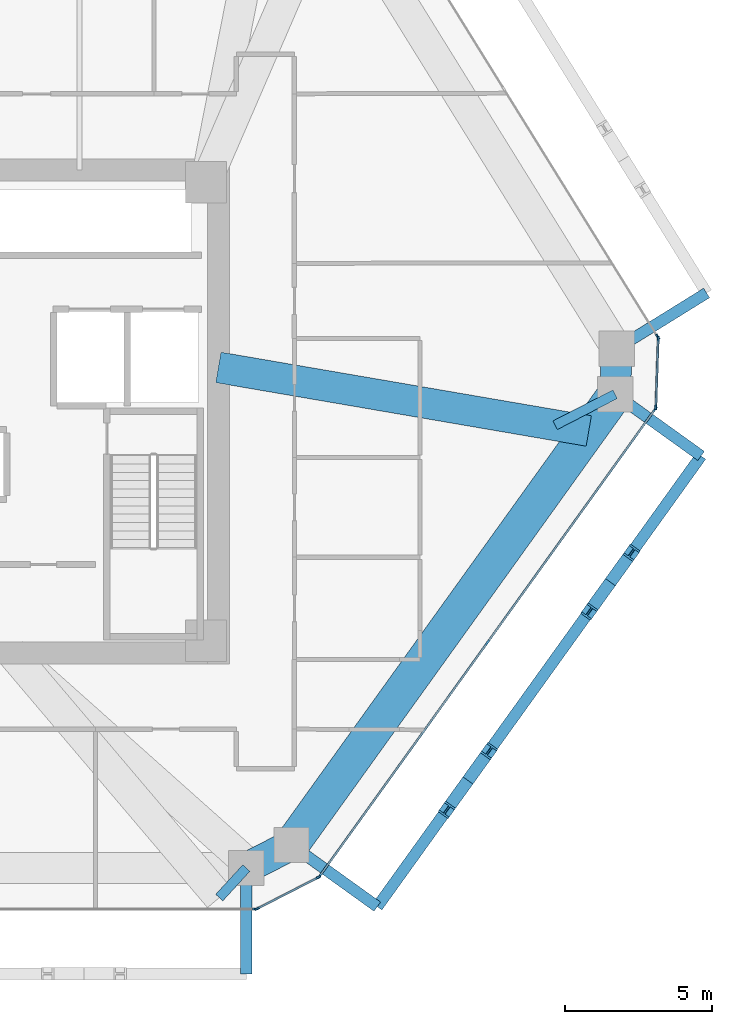
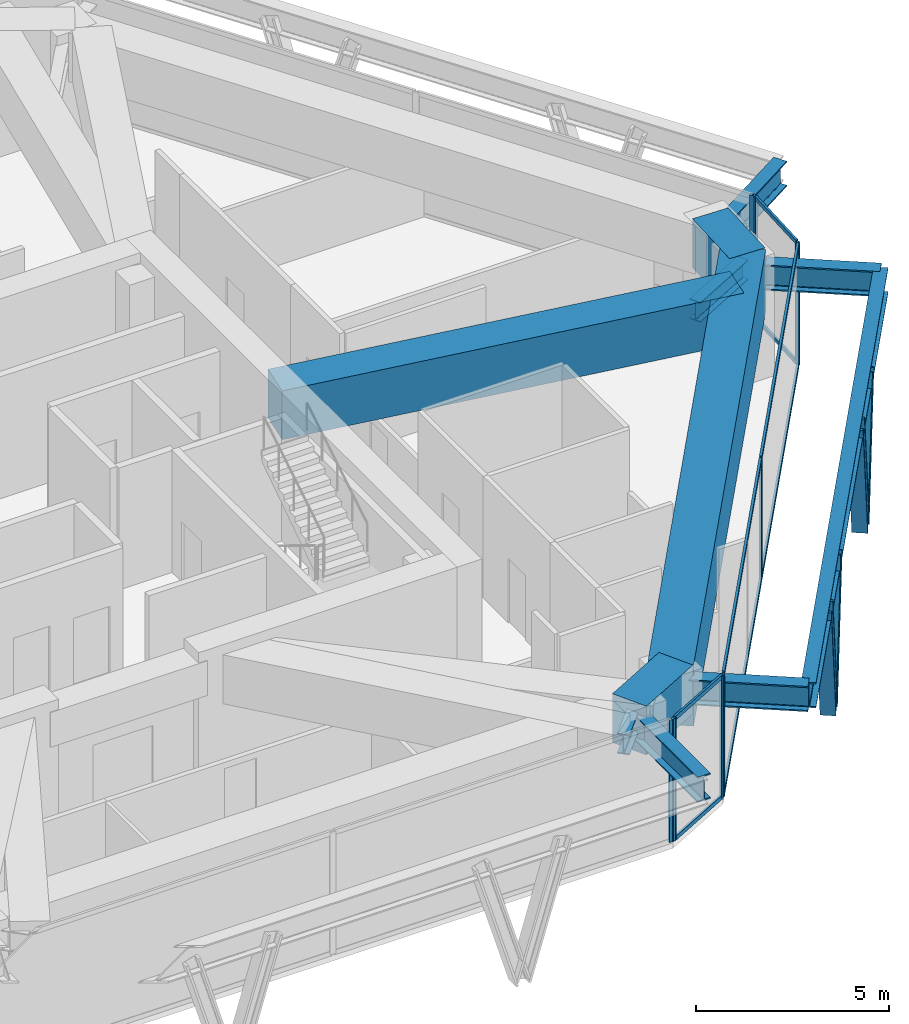
# One storey, part 5 of 14: 21 members, 11 beams, 5 elements without a shape of their own.
"""IFC4 building model written with IfcOpenShell, lengths in metres."""

from ifc_helpers import new_model, si_unit, direction, frame, origin, origin_2d, place, context, subcontext, project, spatial, rectangle, i_section, extrude, source, transform, mapped, material, layer, layer_set, material_profile, profile_set, type_object, type_shapes, element, aggregate, save


model = new_model("IFC4")

# Units and contexts
model_context = context("Model", 3, precision=1e-05, world=origin(), true_north=direction((0.0, 1.0)))
body_context = subcontext(model_context, "Body", "Model", "MODEL_VIEW")
ifc_project = project(units=[si_unit("LENGTHUNIT", "METRE"), si_unit("AREAUNIT", "SQUARE_METRE"), si_unit("VOLUMEUNIT", "CUBIC_METRE"), si_unit("PLANEANGLEUNIT", "RADIAN"), si_unit("MASSUNIT", "GRAM", prefix="KILO")], contexts=[model_context])

# Site, building, storey
site_placement = place(None, origin())
site = spatial("IfcSite", under=ifc_project, at=site_placement, CompositionType="ELEMENT")
building_placement = place(site_placement, origin())
building = spatial("IfcBuilding", under=site, at=building_placement, Name="Durnholm Broadcast Tower", CompositionType="ELEMENT")
storey_placement = place(building_placement, frame((0.0, 0.0, 146.10009765625)))
storey = spatial("IfcBuildingStorey", under=building, at=storey_placement, Name="L40", CompositionType="ELEMENT", Elevation=146.10009765625)

# Beams
ifc_material_1 = material(Name="Steel ASTM A992 Grade 50", Category="steel")
ifc_material_profile_1 = material_profile(ifc_material_1, i_section(OverallWidth=0.385009765625, OverallDepth=0.802978515625, WebThickness=0.023681640625, FlangeThickness=0.0419921875, FilletRadius=0.032958984375, at=origin_2d()), Name="W30X261")
ifc_profile_set_1 = profile_set([ifc_material_profile_1], Name="Steel ASTM A992 Grade 50")
beam_type_1 = type_object("IfcBeamType", Name="BM-EXO-TIE", PredefinedType="USERDEFINED", material=ifc_profile_set_1)
shared_shape_1 = source(origin(), body_context, "Body", "SweptSolid", [
    extrude(i_section(OverallWidth=0.385009765625, OverallDepth=0.802978515625, WebThickness=0.023681640625, FlangeThickness=0.0419921875, FilletRadius=0.032958984375, at=origin_2d()), origin(), (0.0, 0.0, 1.0), 3.4560546875),
])
for number, where, z_axis, x_axis, name in (
    (1, (11.176025390625, -15.680908203125, 3.12841796875), (0.0, -1.0, 0.0), (1.0, 0.0, 0.0), "L40 exoskeleton stand-off tie bracket F1.2"),
    (2, (12.826904296875, -14.834228515625, 3.12841796875), (0.812164951739, -0.583427880005, 0.0), (0.583427880005, 0.812164951739, 0.0), "L40 exoskeleton stand-off tie bracket F2.1"),
    (3, (23.844970703125, 0.5029296875, 3.12841796875), (0.812164951739, -0.583427880005, 0.0), (0.583427880005, 0.812164951739, 0.0), "L40 exoskeleton stand-off tie bracket F2.2"),
    (4, (23.903076171875, 2.21240234375, 3.12841796875), (0.849795112316, 0.527113144481, 0.0), (-0.527113144481, 0.849795112316, 0.0), "L40 exoskeleton stand-off tie bracket F3.1"),
):
    element("IfcBeam", number, at=place(storey_placement, frame(where, z_axis=z_axis, x_axis=x_axis)), inside=storey, type_object=beam_type_1, Name=name, ObjectType="GIRDER", PredefinedType="USERDEFINED", context=body_context, shape_type="MappedRepresentation", body=[
        mapped(shared_shape_1, transform((0.0, 0.0, 0.0), x_axis=(1.0, 0.0, 0.0), y_axis=(0.0, 1.0, 0.0), z_axis=(0.0, 0.0, 1.0), scale=1.0)),
    ])
shared_shape_2 = source(origin(), body_context, "Body", "SweptSolid", [
    extrude(i_section(OverallWidth=0.385009765625, OverallDepth=0.802978515625, WebThickness=0.023681640625, FlangeThickness=0.0419921875, FilletRadius=0.032958984375, at=origin_2d()), origin(), (0.0, 0.0, 1.0), 18.884521484375),
])
type_shapes(beam_type_1, [shared_shape_1, shared_shape_2])
beam_1_placement = place(storey_placement, frame((15.6337890625, -16.8505859375, 3.12841796875), z_axis=(0.583443434414, 0.812153777827, 0.0), x_axis=(-0.812153777827, 0.583443434414, 0.0)))
element("IfcBeam", 5, at=beam_1_placement, inside=storey, type_object=beam_type_1, Name="L40 exoskeleton collector spandrel F2", PredefinedType="SPANDREL", context=body_context, shape_type="MappedRepresentation", body=[
    mapped(shared_shape_2, transform((0.0, 0.0, 0.0), x_axis=(1.0, 0.0, 0.0), y_axis=(0.0, 1.0, 0.0), z_axis=(0.0, 0.0, 1.0), scale=1.0)),
])
ifc_material_2 = material(Name="Concrete C70/85", Category="concrete")
ifc_material_profile_2 = material_profile(ifc_material_2, rectangle(XDim=1.050048828125, YDim=1.550048828125, at=origin_2d()), Name="RC1050X1550")
ifc_profile_set_2 = profile_set([ifc_material_profile_2], Name="Concrete C70/85")
beam_type_2 = type_object("IfcBeamType", Name="BM-TG-RC1550", PredefinedType="USERDEFINED", material=ifc_profile_set_2)
shared_shape_3 = source(origin(), body_context, "Body", "SweptSolid", [
    extrude(rectangle(XDim=1.050048828125, YDim=1.550048828125, at=origin_2d()), origin(), (0.0, 0.0, 1.0), 2.05078125),
])
beam_2_placement = place(storey_placement, frame((23.789306640625, 2.386474609375, 3.10498046875), z_axis=(-0.034048144781, -0.999420193831, 0.0), x_axis=(0.999420193831, -0.034048144781, 0.0)))
element("IfcBeam", 6, at=beam_2_placement, inside=storey, type_object=beam_type_2, Name="L40 perimeter transfer spandrel girder 08", PredefinedType="SPANDREL", context=body_context, shape_type="MappedRepresentation", body=[
    mapped(shared_shape_3, transform((0.0, 0.0, 0.0), x_axis=(1.0, 0.0, 0.0), y_axis=(0.0, 1.0, 0.0), z_axis=(0.0, 0.0, 1.0), scale=1.0)),
])
shared_shape_4 = source(origin(), body_context, "Body", "SweptSolid", [
    extrude(rectangle(XDim=1.050048828125, YDim=1.550048828125, at=origin_2d()), origin(), (0.0, 0.0, 1.0), 2.223876953125),
])
beam_3_placement = place(storey_placement, frame((12.932373046875, -14.63623046875, 3.10498046875), z_axis=(-0.889791172852, -0.456367909383, 0.0), x_axis=(0.456367909383, -0.889791172852, 0.0)))
element("IfcBeam", 7, at=beam_3_placement, inside=storey, type_object=beam_type_2, Name="L40 perimeter transfer spandrel girder 10", PredefinedType="SPANDREL", context=body_context, shape_type="MappedRepresentation", body=[
    mapped(shared_shape_4, transform((0.0, 0.0, 0.0), x_axis=(1.0, 0.0, 0.0), y_axis=(0.0, 1.0, 0.0), z_axis=(0.0, 0.0, 1.0), scale=1.0)),
])
ifc_material_profile_3 = material_profile(ifc_material_2, rectangle(XDim=1.199951171875, YDim=1.949951171875, at=origin_2d()), Name="RC1200X1950")
ifc_profile_set_3 = profile_set([ifc_material_profile_3], Name="Concrete C70/85")
beam_type_3 = type_object("IfcBeamType", Name="BM-TG-RC1950", PredefinedType="USERDEFINED", material=ifc_profile_set_3)
shared_shape_5 = source(origin(), body_context, "Body", "SweptSolid", [
    extrude(rectangle(XDim=1.199951171875, YDim=1.949951171875, at=origin_2d()), origin(), (0.0, 0.0, 1.0), 18.884521484375),
])
type_shapes(beam_type_3, [shared_shape_5])
beam_4_placement = place(storey_placement, frame((23.72802734375, 0.5869140625, 2.90478515625), z_axis=(-0.583443434414, -0.812153777827, 0.0), x_axis=(0.812153777827, -0.583443434414, 0.0)))
element("IfcBeam", 8, at=beam_4_placement, inside=storey, type_object=beam_type_3, Name="L40 perimeter transfer spandrel girder 09", PredefinedType="SPANDREL", context=body_context, shape_type="MappedRepresentation", body=[
    mapped(shared_shape_5, transform((0.0, 0.0, 0.0), x_axis=(1.0, 0.0, 0.0), y_axis=(0.0, 1.0, 0.0), z_axis=(0.0, 0.0, 1.0), scale=1.0)),
])
shared_shape_6 = source(origin(), body_context, "Body", "SweptSolid", [
    extrude(rectangle(XDim=1.050048828125, YDim=1.550048828125, at=origin_2d()), origin(), (0.0, 0.0, 1.0), 12.7890625),
])
type_shapes(beam_type_2, [shared_shape_3, shared_shape_4, shared_shape_6])
beam_5_placement = place(storey_placement, frame((10.22509765625, 1.5, 3.10498046875), z_axis=(0.98558944593, -0.169155088814, 0.0), x_axis=(0.169155088814, 0.98558944593, 0.0)))
element("IfcBeam", 9, at=beam_5_placement, inside=storey, type_object=beam_type_2, Name="L40 radial setback transfer girder 08", ObjectType="GIRDER", PredefinedType="USERDEFINED", context=body_context, shape_type="MappedRepresentation", body=[
    mapped(shared_shape_6, transform((0.0, 0.0, 0.0), x_axis=(1.0, 0.0, 0.0), y_axis=(0.0, 1.0, 0.0), z_axis=(0.0, 0.0, 1.0), scale=1.0)),
])
ifc_material_profile_4 = material_profile(ifc_material_1, i_section(OverallWidth=0.3291015625, OverallDepth=0.635009765625, WebThickness=0.017822265625, FlangeThickness=0.031005859375, FilletRadius=0.02783203125, at=origin_2d()), Name="W24X162")
ifc_profile_set_4 = profile_set([ifc_material_profile_4], Name="Steel ASTM A992 Grade 50")
beam_type_4 = type_object("IfcBeamType", Name="STL-SP-W24X162", PredefinedType="SPANDREL", material=ifc_profile_set_4)
shared_shape_7 = source(origin(), body_context, "Body", "SweptSolid", [
    extrude(i_section(OverallWidth=0.3291015625, OverallDepth=0.635009765625, WebThickness=0.017822265625, FlangeThickness=0.031005859375, FilletRadius=0.02783203125, at=origin_2d()), origin(), (0.0, 0.0, 1.0), 2.297119140625),
])
beam_6_placement = place(storey_placement, frame((23.72802734375, 0.5869140625, 3.260009765625), z_axis=(-0.888483687435, -0.458908201237, 0.0), x_axis=(0.458908201237, -0.888483687435, 0.0)))
element("IfcBeam", 10, at=beam_6_placement, inside=storey, type_object=beam_type_4, Name="L40 perimeter column collector tie 08", ObjectType="GIRDER", PredefinedType="USERDEFINED", context=body_context, shape_type="MappedRepresentation", body=[
    mapped(shared_shape_7, transform((0.0, 0.0, 0.0), x_axis=(1.0, 0.0, 0.0), y_axis=(0.0, 1.0, 0.0), z_axis=(0.0, 0.0, 1.0), scale=1.0)),
])
shared_shape_8 = source(origin(), body_context, "Body", "SweptSolid", [
    extrude(i_section(OverallWidth=0.3291015625, OverallDepth=0.635009765625, WebThickness=0.017822265625, FlangeThickness=0.031005859375, FilletRadius=0.02783203125, at=origin_2d()), origin(), (0.0, 0.0, 1.0), 1.362060546875),
])
type_shapes(beam_type_4, [shared_shape_7, shared_shape_8])
beam_7_placement = place(storey_placement, frame((11.176025390625, -15.537109375, 3.260009765625), z_axis=(-0.675042526169, -0.737778820422, 0.0), x_axis=(0.737778820422, -0.675042526169, 0.0)))
element("IfcBeam", 11, at=beam_7_placement, inside=storey, type_object=beam_type_4, Name="L40 perimeter column collector tie 11", ObjectType="GIRDER", PredefinedType="USERDEFINED", context=body_context, shape_type="MappedRepresentation", body=[
    mapped(shared_shape_8, transform((0.0, 0.0, 0.0), x_axis=(1.0, 0.0, 0.0), y_axis=(0.0, 1.0, 0.0), z_axis=(0.0, 0.0, 1.0), scale=1.0)),
])

# Members
ifc_material_3 = material(Name="Steel ASTM A913 Grade 65", Category="steel")
ifc_material_profile_5 = material_profile(ifc_material_3, i_section(OverallWidth=0.41845703125, OverallDepth=0.455078125, WebThickness=0.0419921875, FlangeThickness=0.067626953125, FilletRadius=0.030517578125, at=origin_2d()), Name="W14X370")
ifc_profile_set_5 = profile_set([ifc_material_profile_5], Name="Steel ASTM A913 Grade 65")
member_type_1 = type_object("IfcMemberType", Name="STL-DG-W14X370", PredefinedType="BRACE", material=ifc_profile_set_5)
shared_shape_9 = source(origin(), body_context, "Body", "SweptSolid", [
    extrude(i_section(OverallWidth=0.41845703125, OverallDepth=0.455078125, WebThickness=0.0419921875, FlangeThickness=0.067626953125, FilletRadius=0.030517578125, at=origin_2d()), origin(), (0.0, 0.0, 1.0), 4.30078125),
])
for number, where, z_axis, x_axis, name in (
    (12, (18.71875, -12.556396484375, -0.991455078125), (0.167407384775, 0.233030625466, 0.957951718573), (-0.812153063014, 0.583444429434, 0.0), "L40 stand-off diagrid brace F2.D1.2"),
    (13, (23.56689453125, -5.807861328125, -0.991455078125), (-0.167407384775, -0.233030625466, 0.957951718573), (0.812153063014, -0.583444429434, 0.0), "L40 stand-off diagrid brace F2.D2.1"),
):
    element("IfcMember", number, at=place(storey_placement, frame(where, z_axis=z_axis, x_axis=x_axis)), inside=storey, type_object=member_type_1, Name=name, PredefinedType="BRACE", context=body_context, shape_type="MappedRepresentation", body=[
        mapped(shared_shape_9, transform((0.0, 0.0, 0.0), x_axis=(1.0, 0.0, 0.0), y_axis=(0.0, 1.0, 0.0), z_axis=(0.0, 0.0, 1.0), scale=1.0)),
    ])
shared_shape_10 = source(origin(), body_context, "Body", "SweptSolid", [
    extrude(i_section(OverallWidth=0.41845703125, OverallDepth=0.455078125, WebThickness=0.0419921875, FlangeThickness=0.067626953125, FilletRadius=0.030517578125, at=origin_2d()), origin(), (0.0, 0.0, 1.0), 4.300537109375),
])
type_shapes(member_type_1, [shared_shape_9, shared_shape_10])
for number, where, z_axis, x_axis, name in (
    (14, (18.71875, -12.556396484375, -0.991455078125), (-0.167354421048, -0.232979153318, 0.957973492261), (0.812179469647, -0.583407669717, 0.0), "L40 stand-off diagrid brace F2.D1.1"),
    (15, (23.56689453125, -5.807861328125, -0.991455078125), (0.167354421048, 0.232979153318, 0.957973492261), (-0.812179469647, 0.583407669717, 0.0), "L40 stand-off diagrid brace F2.D2.2"),
):
    element("IfcMember", number, at=place(storey_placement, frame(where, z_axis=z_axis, x_axis=x_axis)), inside=storey, type_object=member_type_1, Name=name, PredefinedType="BRACE", context=body_context, shape_type="MappedRepresentation", body=[
        mapped(shared_shape_10, transform((0.0, 0.0, 0.0), x_axis=(1.0, 0.0, 0.0), y_axis=(0.0, 1.0, 0.0), z_axis=(0.0, 0.0, 1.0), scale=1.0)),
    ])

# Curtain wall, members
ifc_material_4 = material(Name="Aluminium and Solar Control IGU", Category="aluminium")
ifc_layer_1 = layer(ifc_material_4, 0.1650390625)
ifc_layer_set_1 = layer_set([ifc_layer_1], Name="Aluminium and Solar Control IGU")
curtain_wall_type_1 = type_object("IfcCurtainWallType", Name="CW-SYS-5", PredefinedType="NOTDEFINED", material=ifc_layer_set_1)
curtain_wall_1_placement = place(storey_placement, origin())
curtain_wall_1 = element("IfcCurtainWall", 16, at=curtain_wall_1_placement, inside=storey, type_object=curtain_wall_type_1, Name="L40 curtain wall CW-CORNER CW-L40-CRN-07", PredefinedType="NOTDEFINED")
ifc_material_5 = material(Name="Aluminium 6063-T6", Category="aluminium")
ifc_material_profile_6 = material_profile(ifc_material_5, rectangle(XDim=0.06494140625, YDim=0.1298828125, at=origin_2d()), Name="CWT65X130")
ifc_profile_set_6 = profile_set([ifc_material_profile_6], Name="Aluminium 6063-T6")
member_type_2 = type_object("IfcMemberType", Name="CW-SYS-5-TRN", PredefinedType="USERDEFINED", material=ifc_profile_set_6)
shared_shape_11 = source(origin(), body_context, "Body", "SweptSolid", [
    extrude(rectangle(XDim=0.06494140625, YDim=0.1298828125, at=origin_2d()), origin(), (0.0, 0.0, 1.0), 2.27001953125),
])
type_shapes(member_type_2, [shared_shape_11])
member_1_placement = place(storey_placement, frame((25.192138671875, 2.44873046875, 0.032470703125), z_axis=(-0.03398444704, -0.999422361847, 0.0), x_axis=(0.999422361847, -0.03398444704, 0.0)))
member_1 = element("IfcMember", 17, at=member_1_placement, type_object=member_type_2, Name="CW-CORNER transom 1.1", ObjectType="TRANSOM", PredefinedType="USERDEFINED", context=body_context, shape_type="MappedRepresentation", body=[
    mapped(shared_shape_11, transform((0.0, 0.0, 0.0), x_axis=(1.0, 0.0, 0.0), y_axis=(0.0, 1.0, 0.0), z_axis=(0.0, 0.0, 1.0), scale=1.0)),
])
member_2_placement = place(storey_placement, frame((25.192138671875, 2.44873046875, 3.847412109375), z_axis=(-0.03398444704, -0.999422361847, 0.0), x_axis=(0.999422361847, -0.03398444704, 0.0)))
member_2 = element("IfcMember", 18, at=member_2_placement, type_object=member_type_2, Name="CW-CORNER transom 1.2", ObjectType="TRANSOM", PredefinedType="USERDEFINED", context=body_context, shape_type="MappedRepresentation", body=[
    mapped(shared_shape_11, transform((0.0, 0.0, 0.0), x_axis=(1.0, 0.0, 0.0), y_axis=(0.0, 1.0, 0.0), z_axis=(0.0, 0.0, 1.0), scale=1.0)),
])

curtain_wall_2_placement = place(storey_placement, origin())
curtain_wall_2 = element("IfcCurtainWall", 19, at=curtain_wall_2_placement, inside=storey, type_object=curtain_wall_type_1, Name="L40 curtain wall CW-CORNER CW-L40-CRN-09", PredefinedType="NOTDEFINED")
member_3_placement = place(storey_placement, frame((13.591796875, -15.871337890625, 0.032470703125), z_axis=(-0.889798425843, -0.456353767781, 0.0), x_axis=(0.456353767781, -0.889798425843, 0.0)))
member_3 = element("IfcMember", 20, at=member_3_placement, type_object=member_type_2, Name="CW-CORNER transom 1.1", ObjectType="TRANSOM", PredefinedType="USERDEFINED", context=body_context, shape_type="MappedRepresentation", body=[
    mapped(shared_shape_11, transform((0.0, 0.0, 0.0), x_axis=(1.0, 0.0, 0.0), y_axis=(0.0, 1.0, 0.0), z_axis=(0.0, 0.0, 1.0), scale=1.0)),
])
member_4_placement = place(storey_placement, frame((13.591796875, -15.871337890625, 3.847412109375), z_axis=(-0.889798425843, -0.456353767781, 0.0), x_axis=(0.456353767781, -0.889798425843, 0.0)))
member_4 = element("IfcMember", 21, at=member_4_placement, type_object=member_type_2, Name="CW-CORNER transom 1.2", ObjectType="TRANSOM", PredefinedType="USERDEFINED", context=body_context, shape_type="MappedRepresentation", body=[
    mapped(shared_shape_11, transform((0.0, 0.0, 0.0), x_axis=(1.0, 0.0, 0.0), y_axis=(0.0, 1.0, 0.0), z_axis=(0.0, 0.0, 1.0), scale=1.0)),
])

ifc_layer_2 = layer(ifc_material_4, 0.18994140625)
ifc_layer_set_2 = layer_set([ifc_layer_2], Name="Aluminium and Solar Control IGU")
curtain_wall_type_2 = type_object("IfcCurtainWallType", Name="CW-SYS-3", PredefinedType="NOTDEFINED", material=ifc_layer_set_2)
curtain_wall_3_placement = place(storey_placement, origin())
curtain_wall_3 = element("IfcCurtainWall", 22, at=curtain_wall_3_placement, inside=storey, type_object=curtain_wall_type_2, Name="L40 curtain wall CW-Z12-VIS CW-L40-F08", PredefinedType="NOTDEFINED")
ifc_material_profile_7 = material_profile(ifc_material_5, rectangle(XDim=0.070068359375, YDim=0.14990234375, at=origin_2d()), Name="CWT70X150")
ifc_profile_set_7 = profile_set([ifc_material_profile_7], Name="Aluminium 6063-T6")
member_type_3 = type_object("IfcMemberType", Name="CW-SYS-3-TRN", PredefinedType="USERDEFINED", material=ifc_profile_set_7)
shared_shape_12 = source(origin(), body_context, "Body", "SweptSolid", [
    extrude(rectangle(XDim=0.070068359375, YDim=0.14990234375, at=origin_2d()), origin(), (0.0, 0.0, 1.0), 9.71875),
])
type_shapes(member_type_3, [shared_shape_12])
member_5_placement = place(storey_placement, frame((25.072021484375, 0.05810546875, 0.034912109375), z_axis=(-0.583450726174, -0.812148539448, 0.0), x_axis=(0.812148539448, -0.583450726174, 0.0)))
member_5 = element("IfcMember", 23, at=member_5_placement, type_object=member_type_3, Name="CW-Z12-VIS transom 1.1", ObjectType="TRANSOM", PredefinedType="USERDEFINED", context=body_context, shape_type="MappedRepresentation", body=[
    mapped(shared_shape_12, transform((0.0, 0.0, 0.0), x_axis=(1.0, 0.0, 0.0), y_axis=(0.0, 1.0, 0.0), z_axis=(0.0, 0.0, 1.0), scale=1.0)),
])
member_6_placement = place(storey_placement, frame((25.072021484375, 0.05810546875, 3.844970703125), z_axis=(-0.583450726174, -0.812148539448, 0.0), x_axis=(0.812148539448, -0.583450726174, 0.0)))
member_6 = element("IfcMember", 24, at=member_6_placement, type_object=member_type_3, Name="CW-Z12-VIS transom 1.2", ObjectType="TRANSOM", PredefinedType="USERDEFINED", context=body_context, shape_type="MappedRepresentation", body=[
    mapped(shared_shape_12, transform((0.0, 0.0, 0.0), x_axis=(1.0, 0.0, 0.0), y_axis=(0.0, 1.0, 0.0), z_axis=(0.0, 0.0, 1.0), scale=1.0)),
])
member_7_placement = place(storey_placement, frame((19.36083984375, -7.891845703125, 0.034912109375), z_axis=(-0.583450726174, -0.812148539448, 0.0), x_axis=(0.812148539448, -0.583450726174, 0.0)))
member_7 = element("IfcMember", 25, at=member_7_placement, type_object=member_type_3, Name="CW-Z12-VIS transom 2.1", ObjectType="TRANSOM", PredefinedType="USERDEFINED", context=body_context, shape_type="MappedRepresentation", body=[
    mapped(shared_shape_12, transform((0.0, 0.0, 0.0), x_axis=(1.0, 0.0, 0.0), y_axis=(0.0, 1.0, 0.0), z_axis=(0.0, 0.0, 1.0), scale=1.0)),
])
member_8_placement = place(storey_placement, frame((19.36083984375, -7.891845703125, 3.844970703125), z_axis=(-0.583450726174, -0.812148539448, 0.0), x_axis=(0.812148539448, -0.583450726174, 0.0)))
member_8 = element("IfcMember", 26, at=member_8_placement, type_object=member_type_3, Name="CW-Z12-VIS transom 2.2", ObjectType="TRANSOM", PredefinedType="USERDEFINED", context=body_context, shape_type="MappedRepresentation", body=[
    mapped(shared_shape_12, transform((0.0, 0.0, 0.0), x_axis=(1.0, 0.0, 0.0), y_axis=(0.0, 1.0, 0.0), z_axis=(0.0, 0.0, 1.0), scale=1.0)),
])

# Member
ifc_material_profile_8 = material_profile(ifc_material_5, rectangle(XDim=0.06494140625, YDim=0.1650390625, at=origin_2d()), Name="CWM65X165")
ifc_profile_set_8 = profile_set([ifc_material_profile_8], Name="Aluminium 6063-T6")
member_type_4 = type_object("IfcMemberType", Name="CW-SYS-5-MUL", PredefinedType="MULLION", material=ifc_profile_set_8)
shared_shape_13 = source(origin(), body_context, "Body", "SweptSolid", [
    extrude(rectangle(XDim=0.06494140625, YDim=0.1650390625, at=origin_2d()), origin(), (0.0, 0.0, 1.0), 3.8798828125),
])
type_shapes(member_type_4, [shared_shape_13])
member_9_placement = place(storey_placement, frame((25.193115234375, 2.481201171875, 0.0), z_axis=(0.0, 0.0, 1.0), x_axis=(0.999424655155, -0.033916937775, 0.0)))
member_9 = element("IfcMember", 27, at=member_9_placement, type_object=member_type_4, Name="CW-CORNER mullion 1", PredefinedType="MULLION", context=body_context, shape_type="MappedRepresentation", body=[
    mapped(shared_shape_13, transform((0.0, 0.0, 0.0), x_axis=(1.0, 0.0, 0.0), y_axis=(0.0, 1.0, 0.0), z_axis=(0.0, 0.0, 1.0), scale=1.0)),
])

member_10_placement = place(storey_placement, frame((25.114013671875, 0.1474609375, 0.0), z_axis=(0.0, 0.0, 1.0), x_axis=(0.999424655155, -0.033916937775, 0.0)))
member_10 = element("IfcMember", 28, at=member_10_placement, type_object=member_type_4, Name="CW-CORNER mullion 2", PredefinedType="MULLION", context=body_context, shape_type="MappedRepresentation", body=[
    mapped(shared_shape_13, transform((0.0, 0.0, 0.0), x_axis=(1.0, 0.0, 0.0), y_axis=(0.0, 1.0, 0.0), z_axis=(0.0, 0.0, 1.0), scale=1.0)),
])

aggregate(curtain_wall_1, [member_9, member_10, member_1, member_2])

member_11_placement = place(storey_placement, frame((13.620849609375, -15.8564453125, 0.0), z_axis=(0.0, 0.0, 1.0), x_axis=(0.45637332267, -0.889788396392, 0.0)))
member_11 = element("IfcMember", 29, at=member_11_placement, type_object=member_type_4, Name="CW-CORNER mullion 1", PredefinedType="MULLION", context=body_context, shape_type="MappedRepresentation", body=[
    mapped(shared_shape_13, transform((0.0, 0.0, 0.0), x_axis=(1.0, 0.0, 0.0), y_axis=(0.0, 1.0, 0.0), z_axis=(0.0, 0.0, 1.0), scale=1.0)),
])

member_12_placement = place(storey_placement, frame((11.543212890625, -16.922119140625, 0.0), z_axis=(0.0, 0.0, 1.0), x_axis=(0.45637332267, -0.889788396392, 0.0)))
member_12 = element("IfcMember", 30, at=member_12_placement, type_object=member_type_4, Name="CW-CORNER mullion 2", PredefinedType="MULLION", context=body_context, shape_type="MappedRepresentation", body=[
    mapped(shared_shape_13, transform((0.0, 0.0, 0.0), x_axis=(1.0, 0.0, 0.0), y_axis=(0.0, 1.0, 0.0), z_axis=(0.0, 0.0, 1.0), scale=1.0)),
])

aggregate(curtain_wall_2, [member_11, member_12, member_3, member_4])

# Curtain wall, member
curtain_wall_4_placement = place(storey_placement, origin())
curtain_wall_4 = element("IfcCurtainWall", 31, at=curtain_wall_4_placement, inside=storey, type_object=curtain_wall_type_2, Name="L40 curtain wall CW-Z12-VIS CW-L40-F06", PredefinedType="NOTDEFINED")
ifc_material_profile_9 = material_profile(ifc_material_5, rectangle(XDim=0.070068359375, YDim=0.18994140625, at=origin_2d()), Name="CWM70X190")
ifc_profile_set_9 = profile_set([ifc_material_profile_9], Name="Aluminium 6063-T6")
member_type_5 = type_object("IfcMemberType", Name="CW-SYS-3-MUL", PredefinedType="MULLION", material=ifc_profile_set_9)
shared_shape_14 = source(origin(), body_context, "Body", "SweptSolid", [
    extrude(rectangle(XDim=0.070068359375, YDim=0.18994140625, at=origin_2d()), origin(), (0.0, 0.0, 1.0), 3.8798828125),
])
type_shapes(member_type_5, [shared_shape_14])
member_13_placement = place(storey_placement, frame((25.17578125, 2.54345703125, 0.0), z_axis=(0.0, 0.0, 1.0), x_axis=(0.849799925229, 0.527105385176, 0.0)))
member_13 = element("IfcMember", 32, at=member_13_placement, type_object=member_type_5, Name="CW-Z12-VIS mullion 3", PredefinedType="MULLION", context=body_context, shape_type="MappedRepresentation", body=[
    mapped(shared_shape_14, transform((0.0, 0.0, 0.0), x_axis=(1.0, 0.0, 0.0), y_axis=(0.0, 1.0, 0.0), z_axis=(0.0, 0.0, 1.0), scale=1.0)),
])
aggregate(curtain_wall_4, [member_13])

# Member
member_14_placement = place(storey_placement, frame((25.092529296875, 0.086669921875, 0.0), z_axis=(0.0, 0.0, 1.0), x_axis=(0.812152312759, -0.583445473786, 0.0)))
member_14 = element("IfcMember", 33, at=member_14_placement, type_object=member_type_5, Name="CW-Z12-VIS mullion 1", PredefinedType="MULLION", context=body_context, shape_type="MappedRepresentation", body=[
    mapped(shared_shape_14, transform((0.0, 0.0, 0.0), x_axis=(1.0, 0.0, 0.0), y_axis=(0.0, 1.0, 0.0), z_axis=(0.0, 0.0, 1.0), scale=1.0)),
])

member_15_placement = place(storey_placement, frame((19.38134765625, -7.86328125, 0.0), z_axis=(0.0, 0.0, 1.0), x_axis=(0.812152312759, -0.583445473786, 0.0)))
member_15 = element("IfcMember", 34, at=member_15_placement, type_object=member_type_5, Name="CW-Z12-VIS mullion 2", PredefinedType="MULLION", context=body_context, shape_type="MappedRepresentation", body=[
    mapped(shared_shape_14, transform((0.0, 0.0, 0.0), x_axis=(1.0, 0.0, 0.0), y_axis=(0.0, 1.0, 0.0), z_axis=(0.0, 0.0, 1.0), scale=1.0)),
])

member_16_placement = place(storey_placement, frame((13.670166015625, -15.813232421875, 0.0), z_axis=(0.0, 0.0, 1.0), x_axis=(0.812152312759, -0.583445473786, 0.0)))
member_16 = element("IfcMember", 35, at=member_16_placement, type_object=member_type_5, Name="CW-Z12-VIS mullion 3", PredefinedType="MULLION", context=body_context, shape_type="MappedRepresentation", body=[
    mapped(shared_shape_14, transform((0.0, 0.0, 0.0), x_axis=(1.0, 0.0, 0.0), y_axis=(0.0, 1.0, 0.0), z_axis=(0.0, 0.0, 1.0), scale=1.0)),
])

aggregate(curtain_wall_3, [member_14, member_15, member_16, member_5, member_6, member_7, member_8])

# Curtain wall, member
curtain_wall_5_placement = place(storey_placement, origin())
curtain_wall_5 = element("IfcCurtainWall", 36, at=curtain_wall_5_placement, inside=storey, type_object=curtain_wall_type_2, Name="L40 curtain wall CW-Z12-VIS CW-L40-F10", PredefinedType="NOTDEFINED")
member_17_placement = place(storey_placement, frame((11.479248046875, -16.93701171875, 0.0), z_axis=(0.0, 0.0, 1.0), x_axis=(0.0, -1.0, 0.0)))
member_17 = element("IfcMember", 37, at=member_17_placement, type_object=member_type_5, Name="CW-Z12-VIS mullion 1", PredefinedType="MULLION", context=body_context, shape_type="MappedRepresentation", body=[
    mapped(shared_shape_14, transform((0.0, 0.0, 0.0), x_axis=(1.0, 0.0, 0.0), y_axis=(0.0, 1.0, 0.0), z_axis=(0.0, 0.0, 1.0), scale=1.0)),
])
aggregate(curtain_wall_5, [member_17])

save(model, "model.ifc")
